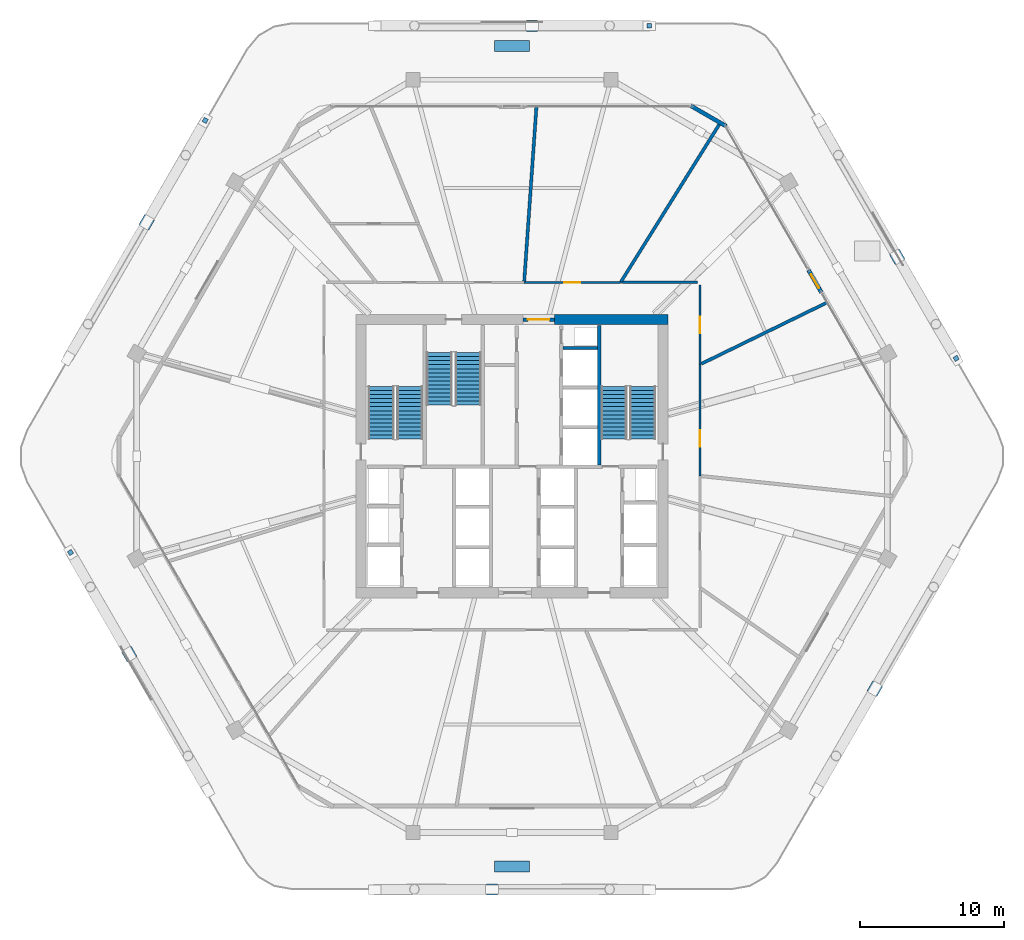
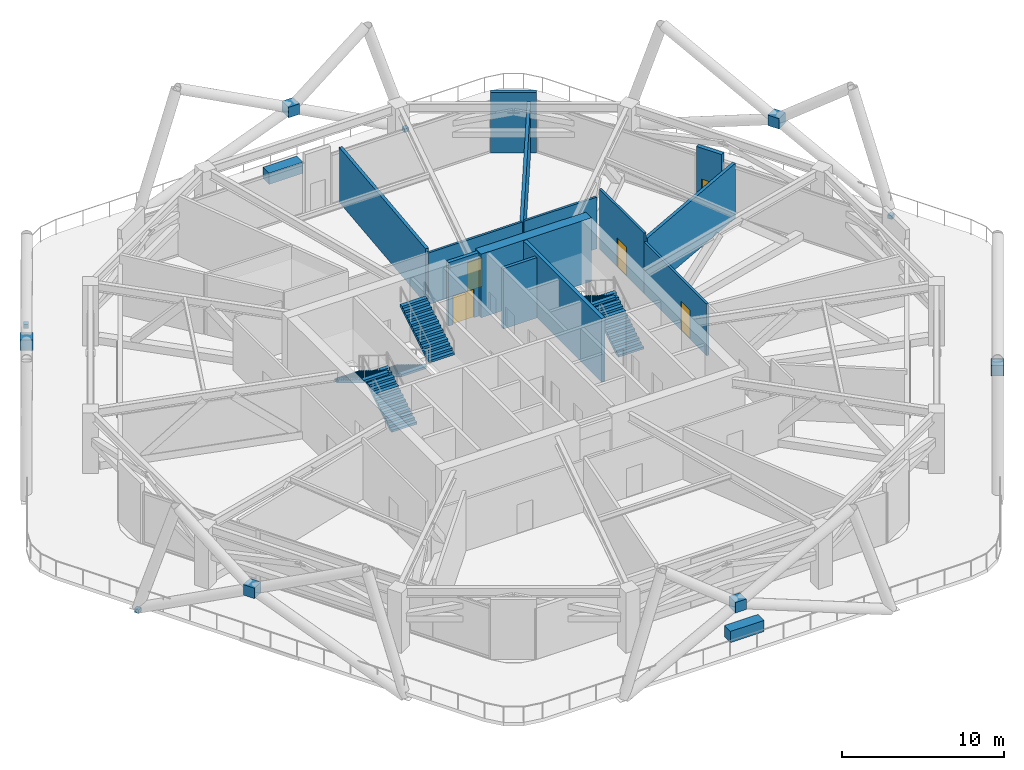
# One storey, part 15 of 20: 13 walls, 12 discrete accessories, 6 stair flights, 5 doors, 5 openings, 3 elements without a shape of their own.
"""IFC4 building model written with IfcOpenShell, lengths in metres."""

from ifc_helpers import new_model, si_unit, direction, frame, frame_2d, origin, origin_2d, place, context, subcontext, project, spatial, polyline, rectangle, outline, extrude, material, layer, layer_set, type_object, element, fill, aggregate, save


model = new_model("IFC4")

# Units and contexts
model_context = context("Model", 3, precision=1e-05, world=origin(), true_north=direction((0.0, 1.0)))
body_context = subcontext(model_context, "Body", "Model", "MODEL_VIEW")
ifc_project = project(units=[si_unit("LENGTHUNIT", "METRE"), si_unit("AREAUNIT", "SQUARE_METRE"), si_unit("VOLUMEUNIT", "CUBIC_METRE"), si_unit("PLANEANGLEUNIT", "RADIAN"), si_unit("MASSUNIT", "GRAM", prefix="KILO")], contexts=[model_context])

# Site, building, storey
site_placement = place(None, origin())
site = spatial("IfcSite", under=ifc_project, at=site_placement, CompositionType="ELEMENT")
building_placement = place(site_placement, origin())
building = spatial("IfcBuilding", under=site, at=building_placement, Name="Zuhravey Tower", CompositionType="ELEMENT")
storey_placement = place(building_placement, frame((0.0, 0.0, 145.60009765625)))
storey = spatial("IfcBuildingStorey", under=building, at=storey_placement, Name="L36", CompositionType="ELEMENT", Elevation=145.60009765625)

# Wall
ifc_material_1 = material(Name="Concrete C60/75", Category="concrete")
ifc_layer_1 = layer(ifc_material_1, 0.699951171875)
ifc_layer_set_1 = layer_set([ifc_layer_1], Name="Concrete C60/75")
wall_type_1 = type_object("IfcWallType", Name="Core Shear Wall 700", PredefinedType="SHEAR", material=ifc_layer_set_1)
wall_1_placement = place(storey_placement, frame((46.85009765625, 41.5, 0.0), z_axis=(0.0, 0.0, 1.0), x_axis=(-1.0, 0.0, 0.0)))
element("IfcWall", 1, at=wall_1_placement, inside=storey, type_object=wall_type_1, Name="L36 North-East Core Shear Wall CW70", PredefinedType="SHEAR", context=body_context, shape_type="SweptSolid", body=[
    extrude(rectangle(XDim=7.900146484375, YDim=0.699951171875, at=frame_2d((3.9501953125, 0.0))), origin(), (0.0, 0.0, 1.0), 4.7998046875),
])

# Wall, opening, door
ifc_material_2 = material(Name="Gypsum fire-rated stud partition")
ifc_layer_2 = layer(ifc_material_2, 0.159912109375)
ifc_layer_set_2 = layer_set([ifc_layer_2], Name="Gypsum fire-rated stud partition")
wall_type_2 = type_object("IfcWallType", Name="Corridor Fire Partition 160", PredefinedType="PARTITIONING", material=ifc_layer_set_2)
wall_2_placement = place(storey_placement, frame((43.54833984375, 44.080078125, 0.0), z_axis=(0.0, 0.0, 1.0), x_axis=(-1.0, 0.0, 0.0)))
wall_2 = element("IfcWall", 2, at=wall_2_placement, inside=storey, type_object=wall_type_2, Name="L36 IW16 Partition 019", PredefinedType="PARTITIONING", context=body_context, shape_type="SweptSolid", body=[
    extrude(rectangle(XDim=6.70361328125, YDim=0.159912109375, at=frame_2d((3.351806640625, 0.0))), origin(), (0.0, 0.0, 1.0), 3.89990234375),
])
opening_1_placement = place(wall_2_placement, frame((2.8017578125, 0.0, 0.0)))
opening_1 = element("IfcOpeningElement", 3, at=opening_1_placement, cuts=wall_2, Name="Opening STD1", PredefinedType="OPENING", context=body_context, shape_type="SweptSolid", body=[
    extrude(rectangle(XDim=1.10009765625, YDim=2.14990234375, at=frame_2d((0.550048828125, 1.074951171875))), frame((0.0, 0.092041015625, 0.0), z_axis=(0.0, -1.0, 0.0), x_axis=(1.0, 0.0, 0.0)), (0.0, 0.0, 1.0), 0.183837890625),
])
ifc_material_3 = material(Name="Galvanised fire-rated steel leaf", Category="steel")
door_type_1 = type_object("IfcDoorType", Name="Protected Stair Fire Door 1100x2150", OperationType="NOTDEFINED", PredefinedType="USERDEFINED", material=ifc_material_3)
door_1_placement = place(opening_1_placement, frame((1.10009765625, 0.0, 0.0), z_axis=(0.0, 0.0, 1.0), x_axis=(-1.0, 0.0, 0.0)))
door_1 = element("IfcDoor", 4, at=door_1_placement, inside=storey, type_object=door_type_1, Name="L36 Door 019.1", ObjectType="EXITDOOR", OperationType="SINGLE_SWING_RIGHT", OverallHeight=2.14990234375, OverallWidth=1.10009765625, PredefinedType="USERDEFINED", context=body_context, shape_type="SweptSolid", body=[
    extrude(rectangle(XDim=1.10009765625, YDim=2.14990234375, at=frame_2d((0.550048828125, 1.074951171875))), frame((0.0, 0.02490234375, 0.0), z_axis=(0.0, -1.0, 0.0), x_axis=(1.0, 0.0, 0.0)), (0.0, 0.0, 1.0), 0.050048828125),
])
fill(opening_1, door_1)

wall_3_placement = place(storey_placement, frame((49.080078125, 30.625244140625, 0.0), z_axis=(0.0, 0.0, 1.0), x_axis=(0.0, 1.0, 0.0)))
wall_3 = element("IfcWall", 5, at=wall_3_placement, inside=storey, type_object=wall_type_2, Name="L36 IW16 Partition 030", PredefinedType="PARTITIONING", context=body_context, shape_type="SweptSolid", body=[
    extrude(rectangle(XDim=7.754150390625, YDim=0.159912109375, at=frame_2d((3.876953125, 0.0))), origin(), (0.0, 0.0, 1.0), 3.89990234375),
])
opening_2_placement = place(wall_3_placement, frame((2.034423828125, 0.0, 0.0)))
opening_2 = element("IfcOpeningElement", 6, at=opening_2_placement, cuts=wall_3, Name="Opening CLD1", PredefinedType="OPENING", context=body_context, shape_type="SweptSolid", body=[
    extrude(rectangle(XDim=1.14990234375, YDim=2.199951171875, at=frame_2d((0.574951171875, 1.10009765625))), frame((0.0, 0.092041015625, 0.0), z_axis=(0.0, -1.0, 0.0), x_axis=(1.0, 0.0, 0.0)), (0.0, 0.0, 1.0), 0.183837890625),
])
ifc_material_4 = material(Name="Acoustic timber leaf with vision lite", Category="wood")
door_type_2 = type_object("IfcDoorType", Name="Classroom Acoustic Door 1150x2200", OperationType="NOTDEFINED", PredefinedType="DOOR", material=ifc_material_4)
door_2_placement = place(opening_2_placement, frame((1.14990234375, 0.0, 0.0), z_axis=(0.0, 0.0, 1.0), x_axis=(-1.0, 0.0, 0.0)))
door_2 = element("IfcDoor", 7, at=door_2_placement, inside=storey, type_object=door_type_2, Name="L36 Door 030.1", OperationType="SINGLE_SWING_LEFT", OverallHeight=2.199951171875, OverallWidth=1.14990234375, PredefinedType="DOOR", context=body_context, shape_type="SweptSolid", body=[
    extrude(rectangle(XDim=1.14990234375, YDim=2.199951171875, at=frame_2d((0.574951171875, 1.10009765625))), frame((0.0, 0.02490234375, 0.0), z_axis=(0.0, -1.0, 0.0), x_axis=(1.0, 0.0, 0.0)), (0.0, 0.0, 1.0), 0.050048828125),
])
fill(opening_2, door_2)

wall_4_placement = place(storey_placement, frame((49.080078125, 38.37939453125, 0.0), z_axis=(0.0, 0.0, 1.0), x_axis=(0.0, 1.0, 0.0)))
wall_4 = element("IfcWall", 8, at=wall_4_placement, inside=storey, type_object=wall_type_2, Name="L36 IW16 Partition 031", PredefinedType="PARTITIONING", context=body_context, shape_type="SweptSolid", body=[
    extrude(rectangle(XDim=5.5205078125, YDim=0.159912109375, at=frame_2d((2.76025390625, 0.0))), origin(), (0.0, 0.0, 1.0), 4.5498046875),
])
opening_3_placement = place(wall_4_placement, frame((2.185302734375, 0.0, 0.0)))
opening_3 = element("IfcOpeningElement", 9, at=opening_3_placement, cuts=wall_4, Name="Opening CLD1", PredefinedType="OPENING", context=body_context, shape_type="SweptSolid", body=[
    extrude(rectangle(XDim=1.14990234375, YDim=2.199951171875, at=frame_2d((0.574951171875, 1.10009765625))), frame((0.0, 0.092041015625, 0.0), z_axis=(0.0, -1.0, 0.0), x_axis=(1.0, 0.0, 0.0)), (0.0, 0.0, 1.0), 0.183837890625),
])
door_3_placement = place(opening_3_placement, frame((1.14990234375, 0.0, 0.0), z_axis=(0.0, 0.0, 1.0), x_axis=(-1.0, 0.0, 0.0)))
door_3 = element("IfcDoor", 10, at=door_3_placement, inside=storey, type_object=door_type_2, Name="L36 Door 031.1", OperationType="SINGLE_SWING_RIGHT", OverallHeight=2.199951171875, OverallWidth=1.14990234375, PredefinedType="DOOR", context=body_context, shape_type="SweptSolid", body=[
    extrude(rectangle(XDim=1.14990234375, YDim=2.199951171875, at=frame_2d((0.574951171875, 1.10009765625))), frame((0.0, 0.02490234375, 0.0), z_axis=(0.0, -1.0, 0.0), x_axis=(1.0, 0.0, 0.0)), (0.0, 0.0, 1.0), 0.050048828125),
])
fill(opening_3, door_3)

# Walls
wall_5_placement = place(storey_placement, frame((48.89990234375, 44.10009765625, 0.0), z_axis=(0.0, 0.0, 1.0), x_axis=(-1.0, 0.0, 0.0)))
element("IfcWall", 11, at=wall_5_placement, inside=storey, type_object=wall_type_2, Name="L36 IW16 Partition 057", PredefinedType="PARTITIONING", context=body_context, shape_type="SweptSolid", body=[
    extrude(rectangle(XDim=5.199951171875, YDim=0.159912109375, at=frame_2d((2.60009765625, 0.0))), origin(), (0.0, 0.0, 1.0), 3.89990234375),
])
ifc_material_5 = material(Name="Precast concrete C40/50", Category="concrete")
ifc_layer_3 = layer(ifc_material_5, 0.280029296875)
ifc_layer_set_3 = layer_set([ifc_layer_3], Name="Precast concrete C40/50")
wall_type_3 = type_object("IfcWallType", Name="Crown Architectural Wall 280", PredefinedType="SOLIDWALL", material=ifc_layer_set_3)
wall_6_placement = place(storey_placement, frame((48.422119140625, 56.380615234375, 0.0), z_axis=(0.0, 0.0, 1.0), x_axis=(0.866011042223, -0.500024874128, 0.0)))
element("IfcWall", 12, at=wall_6_placement, inside=storey, type_object=wall_type_3, Name="L36 Rounded Corner Closure Wall EW28-10", PredefinedType="SOLIDWALL", context=body_context, shape_type="SweptSolid", body=[
    extrude(rectangle(XDim=2.864990234375, YDim=0.280029296875, at=frame_2d((1.4326171875, 0.0))), origin(), (0.0, 0.0, 1.0), 4.5498046875),
])

# Wall, opening, door
wall_7_placement = place(storey_placement, frame((56.62548828125, 44.941650390625, 0.0), z_axis=(0.0, 0.0, 1.0), x_axis=(0.499982180423, -0.866035691677, 0.0)))
wall_7 = element("IfcWall", 13, at=wall_7_placement, inside=storey, type_object=wall_type_3, Name="L36 Face 1 Facade Pier EW28-1", PredefinedType="SOLIDWALL", context=body_context, shape_type="SweptSolid", body=[
    extrude(rectangle(XDim=1.7900390625, YDim=0.280029296875, at=frame_2d((0.89501953125, 0.0))), origin(), (0.0, 0.0, 1.0), 4.5498046875),
])
opening_4_placement = place(wall_7_placement, frame((0.344970703125, 0.0, 0.0)))
opening_4 = element("IfcOpeningElement", 14, at=opening_4_placement, cuts=wall_7, Name="Opening BLD1", PredefinedType="OPENING", context=body_context, shape_type="SweptSolid", body=[
    extrude(rectangle(XDim=1.10009765625, YDim=2.199951171875, at=frame_2d((0.550048828125, 1.10009765625))), frame((0.0, 0.152099609375, 0.0), z_axis=(0.0, -1.0, 0.0), x_axis=(1.0, 0.0, 0.0)), (0.0, 0.0, 1.0), 0.303955078125),
])
ifc_material_6 = material(Name="Thermally broken aluminium and low-E glass", Category="aluminium")
door_type_3 = type_object("IfcDoorType", Name="Balcony & Sky-Tray Glazed Door 1100x2200", OperationType="NOTDEFINED", PredefinedType="DOOR", material=ifc_material_6)
door_4_placement = place(opening_4_placement, frame((1.10009765625, 0.0, 0.0), z_axis=(0.0, 0.0, 1.0), x_axis=(-1.0, 0.0, 0.0)))
door_4 = element("IfcDoor", 15, at=door_4_placement, inside=storey, type_object=door_type_3, Name="L36 Sky-Garden Commons Room Terrace Door", OperationType="SINGLE_SWING_RIGHT", OverallHeight=2.199951171875, OverallWidth=1.10009765625, PredefinedType="DOOR", context=body_context, shape_type="SweptSolid", body=[
    extrude(rectangle(XDim=1.10009765625, YDim=2.199951171875, at=frame_2d((0.550048828125, 1.10009765625))), frame((0.0, 0.02490234375, 0.0), z_axis=(0.0, -1.0, 0.0), x_axis=(1.0, 0.0, 0.0)), (0.0, 0.0, 1.0), 0.050048828125),
])
fill(opening_4, door_4)

ifc_material_7 = material(Name="Concrete C50/60", Category="concrete")
ifc_layer_4 = layer(ifc_material_7, 0.25)
ifc_layer_set_4 = layer_set([ifc_layer_4], Name="Concrete C50/60")
wall_type_4 = type_object("IfcWallType", Name="Firefighting Shaft & Stair Wall 250", PredefinedType="SOLIDWALL", material=ifc_layer_set_4)
wall_8_placement = place(storey_placement, frame((36.760009765625, 41.5, 0.0), z_axis=(0.0, 0.0, 1.0), x_axis=(1.0, 0.0, 0.0)))
wall_8 = element("IfcWall", 16, at=wall_8_placement, inside=storey, type_object=wall_type_4, Name="L36 FW25 Shaft Wall 002", PredefinedType="SOLIDWALL", context=body_context, shape_type="SweptSolid", body=[
    extrude(rectangle(XDim=2.179931640625, YDim=0.25, at=frame_2d((1.08984375, 0.0))), origin(), (0.0, 0.0, 1.0), 4.7998046875),
])
opening_5_placement = place(wall_8_placement, frame((0.340087890625, 0.0, 0.0)))
opening_5 = element("IfcOpeningElement", 17, at=opening_5_placement, cuts=wall_8, Name="Opening FFD1", PredefinedType="OPENING", context=body_context, shape_type="SweptSolid", body=[
    extrude(rectangle(XDim=1.5, YDim=2.14990234375, at=frame_2d((0.75, 1.074951171875))), frame((0.0, 0.136962890625, 0.0), z_axis=(0.0, -1.0, 0.0), x_axis=(1.0, 0.0, 0.0)), (0.0, 0.0, 1.0), 0.27392578125),
])
door_type_4 = type_object("IfcDoorType", Name="Firefighting Lobby Double Door 1500x2150", OperationType="DOUBLE_DOOR_SINGLE_SWING", PredefinedType="DOOR", material=ifc_material_3)
door_5_placement = place(opening_5_placement, origin())
door_5 = element("IfcDoor", 18, at=door_5_placement, inside=storey, type_object=door_type_4, Name="L36 North Lift Lobby Exit Door", OperationType="DOUBLE_DOOR_SINGLE_SWING", OverallHeight=2.14990234375, OverallWidth=1.5, PredefinedType="DOOR", context=body_context, shape_type="SweptSolid", body=[
    extrude(rectangle(XDim=1.5, YDim=2.14990234375, at=frame_2d((0.75, 1.074951171875))), frame((0.0, 0.02490234375, 0.0), z_axis=(0.0, -1.0, 0.0), x_axis=(1.0, 0.0, 0.0)), (0.0, 0.0, 1.0), 0.050048828125),
])
fill(opening_5, door_5)

# Walls
wall_9_placement = place(storey_placement, frame((42.074951171875, 31.39990234375, 0.0), z_axis=(0.0, 0.0, 1.0), x_axis=(0.0, 1.0, 0.0)))
element("IfcWall", 19, at=wall_9_placement, inside=storey, type_object=wall_type_4, Name="L36 FW25 Shaft Wall 006", PredefinedType="SOLIDWALL", context=body_context, shape_type="SweptSolid", body=[
    extrude(rectangle(XDim=9.7001953125, YDim=0.25, at=frame_2d((4.85009765625, 0.0))), origin(), (0.0, 0.0, 1.0), 4.7998046875),
])
ifc_material_8 = material(Name="Gypsum acoustic stud assembly")
ifc_layer_5 = layer(ifc_material_8, 0.219970703125)
ifc_layer_set_5 = layer_set([ifc_layer_5], Name="Gypsum acoustic stud assembly")
wall_type_5 = type_object("IfcWallType", Name="School Acoustic Compartment Wall 220", PredefinedType="PARTITIONING", material=ifc_layer_set_5)
wall_10_placement = place(storey_placement, frame((39.55810546875, 39.52490234375, 0.0), z_axis=(0.0, 0.0, 1.0), x_axis=(1.0, 0.0, 0.0)))
element("IfcWall", 20, at=wall_10_placement, inside=storey, type_object=wall_type_5, Name="L36 IW22 Partition 035", PredefinedType="PARTITIONING", context=body_context, shape_type="SweptSolid", body=[
    extrude(rectangle(XDim=2.3837890625, YDim=0.219970703125, at=frame_2d((1.19189453125, 0.0))), origin(), (0.0, 0.0, 1.0), 4.5498046875),
])
wall_11_placement = place(storey_placement, frame((43.54833984375, 44.080078125, 0.0), z_axis=(0.0, 0.0, 1.0), x_axis=(0.529922692436, 0.848045953968, 0.0)))
element("IfcWall", 21, at=wall_11_placement, inside=storey, type_object=wall_type_5, Name="L36 IW22 Partition 040", PredefinedType="PARTITIONING", context=body_context, shape_type="SweptSolid", body=[
    extrude(rectangle(XDim=13.239990234375, YDim=0.219970703125, at=frame_2d((6.6201171875, 0.0))), origin(), (0.0, 0.0, 1.0), 3.869873046875),
])
wall_12_placement = place(storey_placement, frame((36.850830078125, 44.16796875, 0.0), z_axis=(0.0, 0.0, 1.0), x_axis=(0.069750234229, 0.99756448655, 0.0)))
element("IfcWall", 22, at=wall_12_placement, inside=storey, type_object=wall_type_5, Name="L36 IW22 Partition 041", PredefinedType="PARTITIONING", context=body_context, shape_type="SweptSolid", body=[
    extrude(rectangle(XDim=12.19482421875, YDim=0.219970703125, at=frame_2d((6.097412109375, 0.0))), origin(), (0.0, 0.0, 1.0), 4.14990234375),
])
wall_13_placement = place(storey_placement, frame((49.16796875, 38.422607421875, 0.0), z_axis=(0.0, 0.0, 1.0), x_axis=(0.898794456636, 0.438370305473, 0.0)))
element("IfcWall", 23, at=wall_13_placement, inside=storey, type_object=wall_type_5, Name="L36 IW22 Partition 053", PredefinedType="PARTITIONING", context=body_context, shape_type="SweptSolid", body=[
    extrude(rectangle(XDim=9.74169921875, YDim=0.219970703125, at=frame_2d((4.870849609375, 0.0))), origin(), (0.0, 0.0, 1.0), 4.14990234375),
])

# Stair, stair flights
ifc_material_9 = material(Name="Concrete C40/50", Category="concrete")
stair_type = type_object("IfcStairType", Name="Refuge Storey Stair Assembly 4800", PredefinedType="HALF_TURN_STAIR", material=ifc_material_9)
stair_1_placement = place(storey_placement, origin())
stair_1 = element("IfcStair", 24, at=stair_1_placement, inside=storey, type_object=stair_type, Name="L36 Core Exit Stair ST1", PredefinedType="HALF_TURN_STAIR")
stair_flight_type = type_object("IfcStairFlightType", Name="Refuge Storey Stair Flight 4800", PredefinedType="STRAIGHT", material=ifc_material_9)
stair_flight_1_placement = place(storey_placement, frame((28.89990234375, 33.199951171875, 0.0), z_axis=(0.0, 0.0, 1.0), x_axis=(0.0, 1.0, 0.0)))
stair_flight_1 = element("IfcStairFlight", 25, at=stair_flight_1_placement, type_object=stair_flight_type, Name="ST1 flight 1", NumberOfRisers=14, NumberOfTreads=13, PredefinedType="STRAIGHT", RiserHeight=0.171428571, TreadLength=0.28, context=body_context, shape_type="SweptSolid", body=[
    extrude(outline(polyline([(0.0, 0.0), (0.0, 0.17138671875), (0.280029296875, 0.17138671875), (0.280029296875, 0.3427734375), (0.56005859375, 0.3427734375), (0.56005859375, 0.514404296875), (0.840087890625, 0.514404296875), (0.840087890625, 0.685791015625), (1.1201171875, 0.685791015625), (1.1201171875, 0.857177734375), (1.39990234375, 0.857177734375), (1.39990234375, 1.028564453125), (1.679931640625, 1.028564453125), (1.679931640625, 1.199951171875), (1.9599609375, 1.199951171875), (1.9599609375, 1.371337890625), (2.239990234375, 1.371337890625), (2.239990234375, 1.54296875), (2.52001953125, 1.54296875), (2.52001953125, 1.71435546875), (2.800048828125, 1.71435546875), (2.800048828125, 1.8857421875), (3.080078125, 1.8857421875), (3.080078125, 2.05712890625), (3.360107421875, 2.05712890625), (3.360107421875, 2.228515625), (3.639892578125, 2.228515625), (3.639892578125, 2.39990234375), (3.639892578125, 2.052734375), (0.287109375, 0.0), (0.0, 0.0)])), frame((0.0, 0.89990234375, 0.0), z_axis=(0.0, -1.0, 0.0), x_axis=(1.0, 0.0, 0.0)), (0.0, 0.0, 1.0), 1.800048828125),
])
stair_flight_2_placement = place(storey_placement, frame((26.89990234375, 36.840087890625, 2.39990234375), z_axis=(0.0, 0.0, 1.0), x_axis=(0.0, -1.0, 0.0)))
stair_flight_2 = element("IfcStairFlight", 26, at=stair_flight_2_placement, type_object=stair_flight_type, Name="ST1 flight 2", NumberOfRisers=14, NumberOfTreads=13, PredefinedType="STRAIGHT", RiserHeight=0.171428571, TreadLength=0.28, context=body_context, shape_type="SweptSolid", body=[
    extrude(outline(polyline([(0.0, 0.0), (0.0, 0.17138671875), (0.280029296875, 0.17138671875), (0.280029296875, 0.3427734375), (0.56005859375, 0.3427734375), (0.56005859375, 0.514404296875), (0.840087890625, 0.514404296875), (0.840087890625, 0.685791015625), (1.1201171875, 0.685791015625), (1.1201171875, 0.857177734375), (1.39990234375, 0.857177734375), (1.39990234375, 1.028564453125), (1.679931640625, 1.028564453125), (1.679931640625, 1.199951171875), (1.9599609375, 1.199951171875), (1.9599609375, 1.371337890625), (2.239990234375, 1.371337890625), (2.239990234375, 1.54296875), (2.52001953125, 1.54296875), (2.52001953125, 1.71435546875), (2.800048828125, 1.71435546875), (2.800048828125, 1.8857421875), (3.080078125, 1.8857421875), (3.080078125, 2.05712890625), (3.360107421875, 2.05712890625), (3.360107421875, 2.228515625), (3.639892578125, 2.228515625), (3.639892578125, 2.39990234375), (3.639892578125, 2.052734375), (0.287109375, 0.0), (0.0, 0.0)])), frame((0.0, 0.89990234375, 0.0), z_axis=(0.0, -1.0, 0.0), x_axis=(1.0, 0.0, 0.0)), (0.0, 0.0, 1.0), 1.800048828125),
])
aggregate(stair_1, [stair_flight_1, stair_flight_2])

stair_2_placement = place(storey_placement, origin())
stair_2 = element("IfcStair", 27, at=stair_2_placement, inside=storey, type_object=stair_type, Name="L36 Core Exit Stair ST2", PredefinedType="HALF_TURN_STAIR")
stair_flight_3_placement = place(storey_placement, frame((45.10009765625, 33.199951171875, 0.0), z_axis=(0.0, 0.0, 1.0), x_axis=(0.0, 1.0, 0.0)))
stair_flight_3 = element("IfcStairFlight", 28, at=stair_flight_3_placement, type_object=stair_flight_type, Name="ST2 flight 1", NumberOfRisers=14, NumberOfTreads=13, PredefinedType="STRAIGHT", RiserHeight=0.171428571, TreadLength=0.28, context=body_context, shape_type="SweptSolid", body=[
    extrude(outline(polyline([(0.0, 0.0), (0.0, 0.17138671875), (0.280029296875, 0.17138671875), (0.280029296875, 0.3427734375), (0.56005859375, 0.3427734375), (0.56005859375, 0.514404296875), (0.840087890625, 0.514404296875), (0.840087890625, 0.685791015625), (1.1201171875, 0.685791015625), (1.1201171875, 0.857177734375), (1.39990234375, 0.857177734375), (1.39990234375, 1.028564453125), (1.679931640625, 1.028564453125), (1.679931640625, 1.199951171875), (1.9599609375, 1.199951171875), (1.9599609375, 1.371337890625), (2.239990234375, 1.371337890625), (2.239990234375, 1.54296875), (2.52001953125, 1.54296875), (2.52001953125, 1.71435546875), (2.800048828125, 1.71435546875), (2.800048828125, 1.8857421875), (3.080078125, 1.8857421875), (3.080078125, 2.05712890625), (3.360107421875, 2.05712890625), (3.360107421875, 2.228515625), (3.639892578125, 2.228515625), (3.639892578125, 2.39990234375), (3.639892578125, 2.052734375), (0.287109375, 0.0), (0.0, 0.0)])), frame((0.0, 0.89990234375, 0.0), z_axis=(0.0, -1.0, 0.0), x_axis=(1.0, 0.0, 0.0)), (0.0, 0.0, 1.0), 1.800048828125),
])
stair_flight_4_placement = place(storey_placement, frame((43.10009765625, 36.840087890625, 2.39990234375), z_axis=(0.0, 0.0, 1.0), x_axis=(0.0, -1.0, 0.0)))
stair_flight_4 = element("IfcStairFlight", 29, at=stair_flight_4_placement, type_object=stair_flight_type, Name="ST2 flight 2", NumberOfRisers=14, NumberOfTreads=13, PredefinedType="STRAIGHT", RiserHeight=0.171428571, TreadLength=0.28, context=body_context, shape_type="SweptSolid", body=[
    extrude(outline(polyline([(0.0, 0.0), (0.0, 0.17138671875), (0.280029296875, 0.17138671875), (0.280029296875, 0.3427734375), (0.56005859375, 0.3427734375), (0.56005859375, 0.514404296875), (0.840087890625, 0.514404296875), (0.840087890625, 0.685791015625), (1.1201171875, 0.685791015625), (1.1201171875, 0.857177734375), (1.39990234375, 0.857177734375), (1.39990234375, 1.028564453125), (1.679931640625, 1.028564453125), (1.679931640625, 1.199951171875), (1.9599609375, 1.199951171875), (1.9599609375, 1.371337890625), (2.239990234375, 1.371337890625), (2.239990234375, 1.54296875), (2.52001953125, 1.54296875), (2.52001953125, 1.71435546875), (2.800048828125, 1.71435546875), (2.800048828125, 1.8857421875), (3.080078125, 1.8857421875), (3.080078125, 2.05712890625), (3.360107421875, 2.05712890625), (3.360107421875, 2.228515625), (3.639892578125, 2.228515625), (3.639892578125, 2.39990234375), (3.639892578125, 2.052734375), (0.287109375, 0.0), (0.0, 0.0)])), frame((0.0, 0.89990234375, 0.0), z_axis=(0.0, -1.0, 0.0), x_axis=(1.0, 0.0, 0.0)), (0.0, 0.0, 1.0), 1.800048828125),
])
aggregate(stair_2, [stair_flight_3, stair_flight_4])

stair_3_placement = place(storey_placement, origin())
stair_3 = element("IfcStair", 30, at=stair_3_placement, inside=storey, type_object=stair_type, Name="L36 Core Exit Stair ST3", PredefinedType="HALF_TURN_STAIR")
stair_flight_5_placement = place(storey_placement, frame((30.949951171875, 39.199951171875, 0.0), z_axis=(0.0, 0.0, 1.0), x_axis=(0.0, -1.0, 0.0)))
stair_flight_5 = element("IfcStairFlight", 31, at=stair_flight_5_placement, type_object=stair_flight_type, Name="ST3 flight 1", NumberOfRisers=14, NumberOfTreads=13, PredefinedType="STRAIGHT", RiserHeight=0.171428571, TreadLength=0.28, context=body_context, shape_type="SweptSolid", body=[
    extrude(outline(polyline([(0.0, 0.0), (0.0, 0.17138671875), (0.280029296875, 0.17138671875), (0.280029296875, 0.3427734375), (0.56005859375, 0.3427734375), (0.56005859375, 0.514404296875), (0.840087890625, 0.514404296875), (0.840087890625, 0.685791015625), (1.1201171875, 0.685791015625), (1.1201171875, 0.857177734375), (1.39990234375, 0.857177734375), (1.39990234375, 1.028564453125), (1.679931640625, 1.028564453125), (1.679931640625, 1.199951171875), (1.9599609375, 1.199951171875), (1.9599609375, 1.371337890625), (2.239990234375, 1.371337890625), (2.239990234375, 1.54296875), (2.52001953125, 1.54296875), (2.52001953125, 1.71435546875), (2.800048828125, 1.71435546875), (2.800048828125, 1.8857421875), (3.080078125, 1.8857421875), (3.080078125, 2.05712890625), (3.360107421875, 2.05712890625), (3.360107421875, 2.228515625), (3.639892578125, 2.228515625), (3.639892578125, 2.39990234375), (3.639892578125, 2.052734375), (0.287109375, 0.0), (0.0, 0.0)])), frame((0.0, 0.89990234375, 0.0), z_axis=(0.0, -1.0, 0.0), x_axis=(1.0, 0.0, 0.0)), (0.0, 0.0, 1.0), 1.800048828125),
])
stair_flight_6_placement = place(storey_placement, frame((32.949951171875, 35.56005859375, 2.39990234375), z_axis=(0.0, 0.0, 1.0), x_axis=(0.0, 1.0, 0.0)))
stair_flight_6 = element("IfcStairFlight", 32, at=stair_flight_6_placement, type_object=stair_flight_type, Name="ST3 flight 2", NumberOfRisers=14, NumberOfTreads=13, PredefinedType="STRAIGHT", RiserHeight=0.171428571, TreadLength=0.28, context=body_context, shape_type="SweptSolid", body=[
    extrude(outline(polyline([(0.0, 0.0), (0.0, 0.17138671875), (0.280029296875, 0.17138671875), (0.280029296875, 0.3427734375), (0.56005859375, 0.3427734375), (0.56005859375, 0.514404296875), (0.840087890625, 0.514404296875), (0.840087890625, 0.685791015625), (1.1201171875, 0.685791015625), (1.1201171875, 0.857177734375), (1.39990234375, 0.857177734375), (1.39990234375, 1.028564453125), (1.679931640625, 1.028564453125), (1.679931640625, 1.199951171875), (1.9599609375, 1.199951171875), (1.9599609375, 1.371337890625), (2.239990234375, 1.371337890625), (2.239990234375, 1.54296875), (2.52001953125, 1.54296875), (2.52001953125, 1.71435546875), (2.800048828125, 1.71435546875), (2.800048828125, 1.8857421875), (3.080078125, 1.8857421875), (3.080078125, 2.05712890625), (3.360107421875, 2.05712890625), (3.360107421875, 2.228515625), (3.639892578125, 2.228515625), (3.639892578125, 2.39990234375), (3.639892578125, 2.052734375), (0.287109375, 0.0), (0.0, 0.0)])), frame((0.0, 0.89990234375, 0.0), z_axis=(0.0, -1.0, 0.0), x_axis=(1.0, 0.0, 0.0)), (0.0, 0.0, 1.0), 1.800048828125),
])
aggregate(stair_3, [stair_flight_5, stair_flight_6])

# Discrete accessories
ifc_material_10 = material(Name="Steel SM355", Category="steel")
discrete_accessory_type_1 = type_object("IfcDiscreteAccessoryType", Name="Exoskeleton Support Bracket", PredefinedType="BRACKET", material=ifc_material_10)
discrete_accessory_1_placement = place(storey_placement, frame((62.793701171875, 45.867919921875, 3.42529296875), z_axis=(0.0, 0.0, 1.0), x_axis=(-0.5, 0.866025403784, 0.0)))
element("IfcDiscreteAccessory", 33, at=discrete_accessory_1_placement, inside=storey, type_object=discrete_accessory_type_1, Name="L36 Face 1 Diagrid X-Crossing Collar BRK1", PredefinedType="BRACKET", context=body_context, shape_type="SweptSolid", body=[
    extrude(rectangle(XDim=0.791015625, YDim=0.791015625, at=origin_2d()), origin(), (0.0, 0.0, 1.0), 0.791015625),
])
discrete_accessory_2_placement = place(storey_placement, frame((66.890869140625, 38.8017578125, -0.7919921875), z_axis=(0.0, 0.0, 1.0), x_axis=(-0.5, 0.866025403784, 0.0)))
element("IfcDiscreteAccessory", 34, at=discrete_accessory_2_placement, inside=storey, type_object=discrete_accessory_type_1, Name="L36 Exoskeleton Node Bracket BRK1-F1", PredefinedType="BRACKET", context=body_context, shape_type="SweptSolid", body=[
    extrude(rectangle(XDim=0.320068359375, YDim=0.320068359375, at=origin_2d()), origin(), (0.0, 0.0, 1.0), 0.280029296875),
])
discrete_accessory_3_placement = place(storey_placement, frame((37.386962890625, 61.943115234375, 3.42529296875), z_axis=(0.0, 0.0, 1.0), x_axis=(-1.0, 0.0, 0.0)))
element("IfcDiscreteAccessory", 35, at=discrete_accessory_3_placement, inside=storey, type_object=discrete_accessory_type_1, Name="L36 Face 2 Diagrid X-Crossing Collar BRK1", PredefinedType="BRACKET", context=body_context, shape_type="SweptSolid", body=[
    extrude(rectangle(XDim=0.791015625, YDim=0.791015625, at=origin_2d()), origin(), (0.0, 0.0, 1.0), 0.791015625),
])
discrete_accessory_4_placement = place(storey_placement, frame((45.554931640625, 61.943115234375, -0.7919921875), z_axis=(0.0, 0.0, 1.0), x_axis=(-1.0, 0.0, 0.0)))
element("IfcDiscreteAccessory", 36, at=discrete_accessory_4_placement, inside=storey, type_object=discrete_accessory_type_1, Name="L36 Exoskeleton Node Bracket BRK1-F2", PredefinedType="BRACKET", context=body_context, shape_type="SweptSolid", body=[
    extrude(rectangle(XDim=0.320068359375, YDim=0.320068359375, at=origin_2d()), origin(), (0.0, 0.0, 1.0), 0.280029296875),
])
discrete_accessory_5_placement = place(storey_placement, frame((10.593017578125, 48.270263671875, 3.42529296875), z_axis=(0.0, 0.0, 1.0), x_axis=(-0.5, -0.866025403784, 0.0)))
element("IfcDiscreteAccessory", 37, at=discrete_accessory_5_placement, inside=storey, type_object=discrete_accessory_type_1, Name="L36 Face 3 Diagrid X-Crossing Collar BRK1", PredefinedType="BRACKET", context=body_context, shape_type="SweptSolid", body=[
    extrude(rectangle(XDim=0.791015625, YDim=0.791015625, at=origin_2d()), origin(), (0.0, 0.0, 1.0), 0.791015625),
])
discrete_accessory_6_placement = place(storey_placement, frame((14.6640625, 55.351318359375, -0.7919921875), z_axis=(0.0, 0.0, 1.0), x_axis=(-0.5, -0.866025403784, 0.0)))
element("IfcDiscreteAccessory", 38, at=discrete_accessory_6_placement, inside=storey, type_object=discrete_accessory_type_1, Name="L36 Exoskeleton Node Bracket BRK1-F3", PredefinedType="BRACKET", context=body_context, shape_type="SweptSolid", body=[
    extrude(rectangle(XDim=0.320068359375, YDim=0.320068359375, at=origin_2d()), origin(), (0.0, 0.0, 1.0), 0.280029296875),
])
discrete_accessory_7_placement = place(storey_placement, frame((9.375, 18.2294921875, 3.42529296875), z_axis=(0.0, 0.0, 1.0), x_axis=(0.5, -0.866025403784, 0.0)))
element("IfcDiscreteAccessory", 39, at=discrete_accessory_7_placement, inside=storey, type_object=discrete_accessory_type_1, Name="L36 Face 4 Diagrid X-Crossing Collar BRK1", PredefinedType="BRACKET", context=body_context, shape_type="SweptSolid", body=[
    extrude(rectangle(XDim=0.791015625, YDim=0.791015625, at=origin_2d()), origin(), (0.0, 0.0, 1.0), 0.791015625),
])
discrete_accessory_8_placement = place(storey_placement, frame((5.291015625, 25.30322265625, -0.7919921875), z_axis=(0.0, 0.0, 1.0), x_axis=(0.5, -0.866025403784, 0.0)))
element("IfcDiscreteAccessory", 40, at=discrete_accessory_8_placement, inside=storey, type_object=discrete_accessory_type_1, Name="L36 Exoskeleton Node Bracket BRK1-F4", PredefinedType="BRACKET", context=body_context, shape_type="SweptSolid", body=[
    extrude(rectangle(XDim=0.320068359375, YDim=0.320068359375, at=origin_2d()), origin(), (0.0, 0.0, 1.0), 0.280029296875),
])
for number, where, z_axis, x_axis, name in (
    (41, (34.613037109375, 1.86181640625, 3.42529296875), (0.0, 0.0, 1.0), (1.0, 0.0, 0.0), "L36 Face 5 Diagrid X-Crossing Collar BRK1"),
    (42, (61.238037109375, 15.8271484375, 3.42529296875), (0.0, 0.0, 1.0), (0.5, 0.866025403784, 0.0), "L36 Face 6 Diagrid X-Crossing Collar BRK1"),
):
    element("IfcDiscreteAccessory", number, at=place(storey_placement, frame(where, z_axis=z_axis, x_axis=x_axis)), inside=storey, type_object=discrete_accessory_type_1, Name=name, PredefinedType="BRACKET", context=body_context, shape_type="SweptSolid", body=[
        extrude(rectangle(XDim=0.791015625, YDim=0.791015625, at=origin_2d()), origin(), (0.0, 0.0, 1.0), 0.791015625),
    ])
ifc_material_11 = material(Name="Architectural GRC planter with planting soil")
discrete_accessory_type_2 = type_object("IfcDiscreteAccessoryType", Name="Sky-Garden Structural Planter", PredefinedType="USERDEFINED", material=ifc_material_11)
for number, where, z_axis, x_axis, name in (
    (43, (36.0, 60.535400390625, -0.000244140625), (0.0, 0.0, 1.0), (-1.0, 0.0, 0.0), "L36 Sky-Garden Planter PLN1-1"),
    (44, (36.0, 3.464599609375, -0.000244140625), (0.0, 0.0, 1.0), (1.0, 0.0, 0.0), "L36 Sky-Garden Planter PLN1-2"),
):
    element("IfcDiscreteAccessory", number, at=place(storey_placement, frame(where, z_axis=z_axis, x_axis=x_axis)), inside=storey, type_object=discrete_accessory_type_2, Name=name, ObjectType="PLANTER", PredefinedType="USERDEFINED", context=body_context, shape_type="SweptSolid", body=[
        extrude(rectangle(XDim=2.39990234375, YDim=0.75, at=origin_2d()), origin(), (0.0, 0.0, 1.0), 0.85009765625),
    ])

save(model, "model.ifc")
